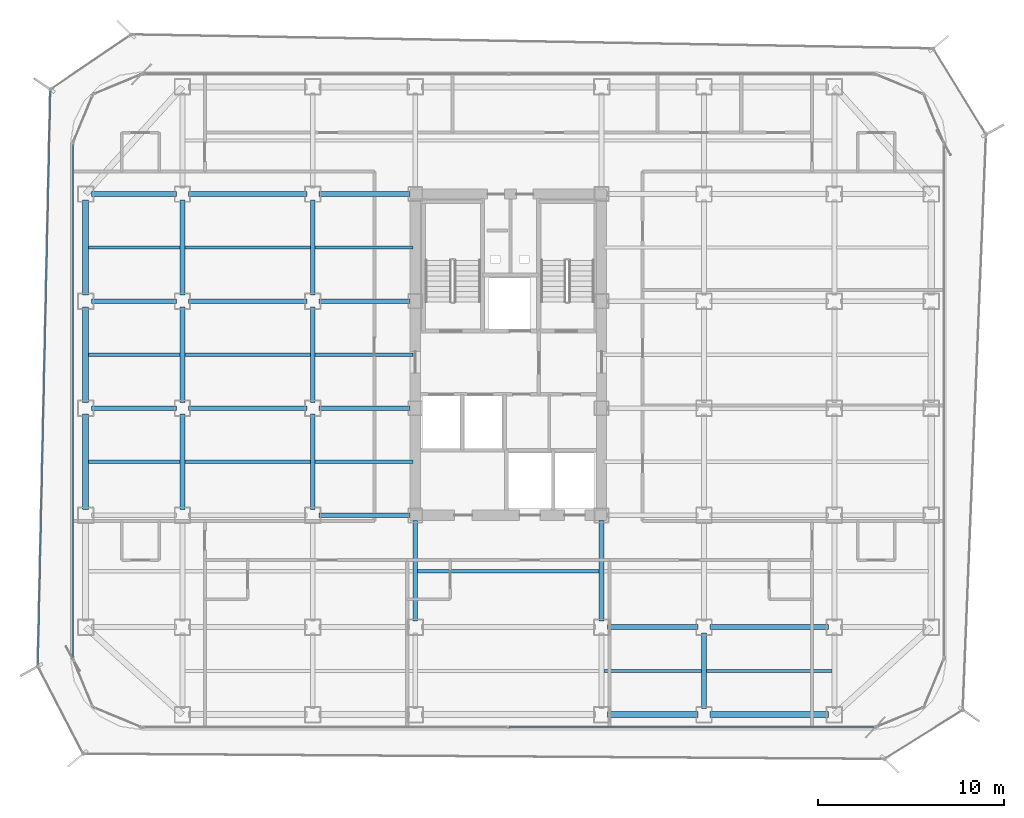
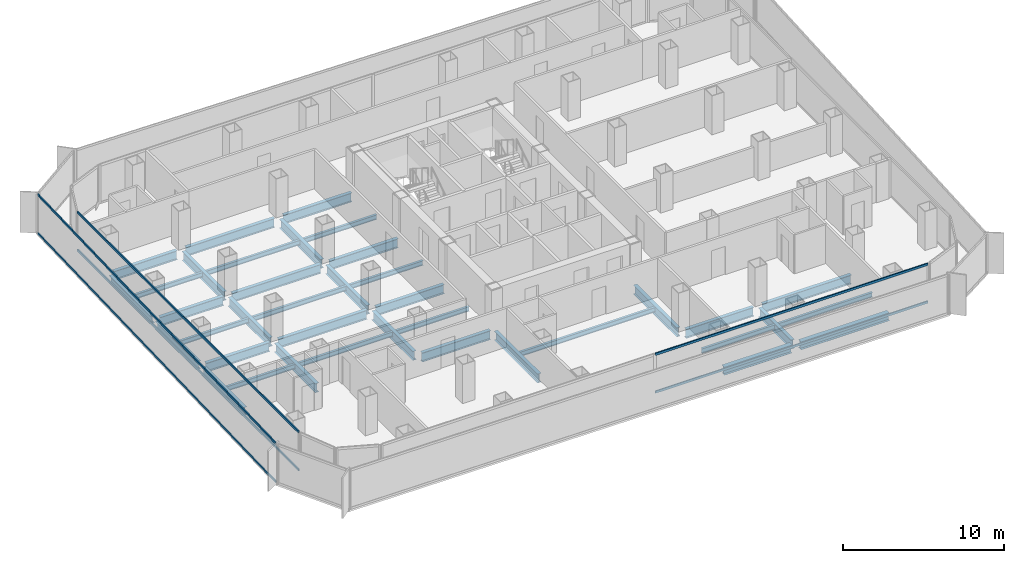
# One storey, part 5 of 21: 38 beams, 6 members, 3 elements without a shape of their own.
"""IFC4 building model written with IfcOpenShell, lengths in metres."""

from ifc_helpers import new_model, si_unit, direction, frame, origin, origin_2d, place, context, subcontext, project, spatial, hollow_rectangle, i_section, extrude, source, transform, mapped, material, layer, layer_set, material_profile, profile_set, type_object, element, aggregate, save


model = new_model("IFC4")

# Units and contexts
model_context = context("Model", 3, precision=1e-05, world=origin(), true_north=direction((0.0, 1.0)))
body_context = subcontext(model_context, "Body", "Model", "MODEL_VIEW")
ifc_project = project(units=[si_unit("LENGTHUNIT", "METRE"), si_unit("AREAUNIT", "SQUARE_METRE"), si_unit("VOLUMEUNIT", "CUBIC_METRE"), si_unit("PLANEANGLEUNIT", "RADIAN"), si_unit("MASSUNIT", "GRAM", prefix="KILO")], contexts=[model_context])

# Site, building, storey
site_placement = place(None, origin())
site = spatial("IfcSite", under=ifc_project, at=site_placement, CompositionType="ELEMENT")
building_placement = place(site_placement, origin())
building = spatial("IfcBuilding", under=site, at=building_placement, Name="Kolveth Station Tower", CompositionType="ELEMENT")
storey_placement = place(building_placement, frame((0.0, 0.0, 121.5)))
storey = spatial("IfcBuildingStorey", under=building, at=storey_placement, Name="L33", CompositionType="ELEMENT", Elevation=121.5)

# Beams
ifc_material_1 = material(Name="Steel S355", Category="steel")
ifc_material_profile_1 = material_profile(ifc_material_1, i_section(OverallWidth=0.323974609375, OverallDepth=0.611083984375, WebThickness=0.0126953125, FlangeThickness=0.01904296875, at=origin_2d()), Name="W610x155")
ifc_profile_set_1 = profile_set([ifc_material_profile_1], Name="Steel S355")
beam_type_1 = type_object("IfcBeamType", Name="Beam_SP2", PredefinedType="SPANDREL", material=ifc_profile_set_1)
shared_shape_1 = source(origin(), body_context, "Body", "SweptSolid", [
    extrude(i_section(OverallWidth=0.323974609375, OverallDepth=0.611083984375, WebThickness=0.0126953125, FlangeThickness=0.01904296875, at=origin_2d()), origin(), (0.0, 0.0, 1.0), 6.35986328125),
])
beam_1_placement = place(storey_placement, frame((34.320068359375, 0.800048828125, -0.555419921875), z_axis=(1.0, 0.0, 0.0), x_axis=(0.0, 1.0, 0.0)))
element("IfcBeam", 1, at=beam_1_placement, inside=storey, type_object=beam_type_1, Name="L33 Perimeter Spandrel BM-L33-PS-5", PredefinedType="SPANDREL", context=body_context, shape_type="MappedRepresentation", body=[
    mapped(shared_shape_1, transform((0.0, 0.0, 0.0), x_axis=(1.0, 0.0, 0.0), y_axis=(0.0, 1.0, 0.0), z_axis=(0.0, 0.0, 1.0), scale=1.0)),
])
shared_shape_2 = source(origin(), body_context, "Body", "SweptSolid", [
    extrude(i_section(OverallWidth=0.323974609375, OverallDepth=0.611083984375, WebThickness=0.0126953125, FlangeThickness=0.01904296875, at=origin_2d()), origin(), (0.0, 0.0, 1.0), 4.85986328125),
])
beam_2_placement = place(storey_placement, frame((28.820068359375, 0.800048828125, -0.555419921875), z_axis=(1.0, 0.0, 0.0), x_axis=(0.0, 1.0, 0.0)))
element("IfcBeam", 2, at=beam_2_placement, inside=storey, type_object=beam_type_1, Name="L33 Perimeter Spandrel BM-L33-PS-4", PredefinedType="SPANDREL", context=body_context, shape_type="MappedRepresentation", body=[
    mapped(shared_shape_2, transform((0.0, 0.0, 0.0), x_axis=(1.0, 0.0, 0.0), y_axis=(0.0, 1.0, 0.0), z_axis=(0.0, 0.0, 1.0), scale=1.0)),
])
shared_shape_3 = source(origin(), body_context, "Body", "SweptSolid", [
    extrude(i_section(OverallWidth=0.323974609375, OverallDepth=0.611083984375, WebThickness=0.0126953125, FlangeThickness=0.01904296875, at=origin_2d()), origin(), (0.0, 0.0, 1.0), 5.10986328125),
])
for number, where, z_axis, x_axis, name in (
    (3, (0.800048828125, 11.820068359375, -0.555419921875), (0.0, 1.0, 0.0), (-1.0, 0.0, 0.0), "L33 Perimeter Spandrel BM-L33-PW-2"),
    (4, (0.800048828125, 17.570068359375, -0.555419921875), (0.0, 1.0, 0.0), (-1.0, 0.0, 0.0), "L33 Perimeter Spandrel BM-L33-PW-3"),
    (5, (0.800048828125, 23.320068359375, -0.555419921875), (0.0, 1.0, 0.0), (-1.0, 0.0, 0.0), "L33 Perimeter Spandrel BM-L33-PW-4"),
):
    element("IfcBeam", number, at=place(storey_placement, frame(where, z_axis=z_axis, x_axis=x_axis)), inside=storey, type_object=beam_type_1, Name=name, PredefinedType="SPANDREL", context=body_context, shape_type="MappedRepresentation", body=[
        mapped(shared_shape_3, transform((0.0, 0.0, 0.0), x_axis=(1.0, 0.0, 0.0), y_axis=(0.0, 1.0, 0.0), z_axis=(0.0, 0.0, 1.0), scale=1.0)),
    ])
ifc_material_profile_2 = material_profile(ifc_material_1, i_section(OverallWidth=0.25390625, OverallDepth=0.68798828125, WebThickness=0.01318359375, FlangeThickness=0.02099609375, at=origin_2d()), Name="W690x152")
ifc_profile_set_2 = profile_set([ifc_material_profile_2], Name="Steel S355")
beam_type_2 = type_object("IfcBeamType", Name="Beam_B4", PredefinedType="BEAM", material=ifc_profile_set_2)
shared_shape_4 = source(origin(), body_context, "Body", "SweptSolid", [
    extrude(i_section(OverallWidth=0.25390625, OverallDepth=0.68798828125, WebThickness=0.01318359375, FlangeThickness=0.02099609375, at=origin_2d()), origin(), (0.0, 0.0, 1.0), 4.559814453125),
])
for number, where, z_axis, x_axis, name in (
    (6, (1.1201171875, 17.25, -0.593994140625), (1.0, 0.0, 0.0), (0.0, 1.0, 0.0), "L33 Primary Girder BM-L33-GY172-1"),
    (7, (1.1201171875, 23.0, -0.593994140625), (1.0, 0.0, 0.0), (0.0, 1.0, 0.0), "L33 Primary Girder BM-L33-GY230-1"),
    (8, (1.1201171875, 28.75, -0.593994140625), (1.0, 0.0, 0.0), (0.0, 1.0, 0.0), "L33 Primary Girder BM-L33-GY287-1"),
):
    element("IfcBeam", number, at=place(storey_placement, frame(where, z_axis=z_axis, x_axis=x_axis)), inside=storey, type_object=beam_type_2, Name=name, PredefinedType="BEAM", context=body_context, shape_type="MappedRepresentation", body=[
        mapped(shared_shape_4, transform((0.0, 0.0, 0.0), x_axis=(1.0, 0.0, 0.0), y_axis=(0.0, 1.0, 0.0), z_axis=(0.0, 0.0, 1.0), scale=1.0)),
    ])
shared_shape_5 = source(origin(), body_context, "Body", "SweptSolid", [
    extrude(i_section(OverallWidth=0.25390625, OverallDepth=0.68798828125, WebThickness=0.01318359375, FlangeThickness=0.02099609375, at=origin_2d()), origin(), (0.0, 0.0, 1.0), 6.35986328125),
])
for number, where, z_axis, x_axis, name in (
    (9, (34.320068359375, 5.5, -0.593994140625), (1.0, 0.0, 0.0), (0.0, 1.0, 0.0), "L33 Primary Girder BM-L33-GY55-6"),
    (10, (6.320068359375, 17.25, -0.593994140625), (1.0, 0.0, 0.0), (0.0, 1.0, 0.0), "L33 Primary Girder BM-L33-GY172-2"),
    (11, (6.320068359375, 23.0, -0.593994140625), (1.0, 0.0, 0.0), (0.0, 1.0, 0.0), "L33 Primary Girder BM-L33-GY230-2"),
    (12, (6.320068359375, 28.75, -0.593994140625), (1.0, 0.0, 0.0), (0.0, 1.0, 0.0), "L33 Primary Girder BM-L33-GY287-2"),
):
    element("IfcBeam", number, at=place(storey_placement, frame(where, z_axis=z_axis, x_axis=x_axis)), inside=storey, type_object=beam_type_2, Name=name, PredefinedType="BEAM", context=body_context, shape_type="MappedRepresentation", body=[
        mapped(shared_shape_5, transform((0.0, 0.0, 0.0), x_axis=(1.0, 0.0, 0.0), y_axis=(0.0, 1.0, 0.0), z_axis=(0.0, 0.0, 1.0), scale=1.0)),
    ])
shared_shape_6 = source(origin(), body_context, "Body", "SweptSolid", [
    extrude(i_section(OverallWidth=0.25390625, OverallDepth=0.68798828125, WebThickness=0.01318359375, FlangeThickness=0.02099609375, at=origin_2d()), origin(), (0.0, 0.0, 1.0), 4.85986328125),
])
beam_3_placement = place(storey_placement, frame((28.820068359375, 5.5, -0.593994140625), z_axis=(1.0, 0.0, 0.0), x_axis=(0.0, 1.0, 0.0)))
element("IfcBeam", 13, at=beam_3_placement, inside=storey, type_object=beam_type_2, Name="L33 Primary Girder BM-L33-GY55-5", PredefinedType="BEAM", context=body_context, shape_type="MappedRepresentation", body=[
    mapped(shared_shape_6, transform((0.0, 0.0, 0.0), x_axis=(1.0, 0.0, 0.0), y_axis=(0.0, 1.0, 0.0), z_axis=(0.0, 0.0, 1.0), scale=1.0)),
])
shared_shape_7 = source(origin(), body_context, "Body", "SweptSolid", [
    extrude(i_section(OverallWidth=0.25390625, OverallDepth=0.68798828125, WebThickness=0.01318359375, FlangeThickness=0.02099609375, at=origin_2d()), origin(), (0.0, 0.0, 1.0), 4.89990234375),
])
for number, where, z_axis, x_axis, name in (
    (14, (13.320068359375, 11.5, -0.593994140625), (1.0, 0.0, 0.0), (0.0, 1.0, 0.0), "L33 Primary Girder BM-L33-GY115-3"),
    (15, (13.320068359375, 17.25, -0.593994140625), (1.0, 0.0, 0.0), (0.0, 1.0, 0.0), "L33 Primary Girder BM-L33-GY172-3"),
    (16, (13.320068359375, 23.0, -0.593994140625), (1.0, 0.0, 0.0), (0.0, 1.0, 0.0), "L33 Primary Girder BM-L33-GY230-3"),
    (17, (13.320068359375, 28.75, -0.593994140625), (1.0, 0.0, 0.0), (0.0, 1.0, 0.0), "L33 Primary Girder BM-L33-GY287-3"),
):
    element("IfcBeam", number, at=place(storey_placement, frame(where, z_axis=z_axis, x_axis=x_axis)), inside=storey, type_object=beam_type_2, Name=name, PredefinedType="BEAM", context=body_context, shape_type="MappedRepresentation", body=[
        mapped(shared_shape_7, transform((0.0, 0.0, 0.0), x_axis=(1.0, 0.0, 0.0), y_axis=(0.0, 1.0, 0.0), z_axis=(0.0, 0.0, 1.0), scale=1.0)),
    ])
shared_shape_8 = source(origin(), body_context, "Body", "SweptSolid", [
    extrude(i_section(OverallWidth=0.25390625, OverallDepth=0.68798828125, WebThickness=0.01318359375, FlangeThickness=0.02099609375, at=origin_2d()), origin(), (0.0, 0.0, 1.0), 4.059814453125),
])
beam_4_placement = place(storey_placement, frame((34.0, 1.1201171875, -0.593994140625), z_axis=(0.0, 1.0, 0.0), x_axis=(-1.0, 0.0, 0.0)))
element("IfcBeam", 18, at=beam_4_placement, inside=storey, type_object=beam_type_2, Name="L33 Primary Girder BM-L33-GX340-1", PredefinedType="BEAM", context=body_context, shape_type="MappedRepresentation", body=[
    mapped(shared_shape_8, transform((0.0, 0.0, 0.0), x_axis=(1.0, 0.0, 0.0), y_axis=(0.0, 1.0, 0.0), z_axis=(0.0, 0.0, 1.0), scale=1.0)),
])
shared_shape_9 = source(origin(), body_context, "Body", "SweptSolid", [
    extrude(i_section(OverallWidth=0.25390625, OverallDepth=0.68798828125, WebThickness=0.01318359375, FlangeThickness=0.02099609375, at=origin_2d()), origin(), (0.0, 0.0, 1.0), 5.10986328125),
])
for number, where, z_axis, x_axis, name in (
    (19, (6.0, 11.820068359375, -0.593994140625), (0.0, 1.0, 0.0), (-1.0, 0.0, 0.0), "L33 Primary Girder BM-L33-GX60-3"),
    (20, (6.0, 17.570068359375, -0.593994140625), (0.0, 1.0, 0.0), (-1.0, 0.0, 0.0), "L33 Primary Girder BM-L33-GX60-4"),
    (21, (6.0, 23.320068359375, -0.593994140625), (0.0, 1.0, 0.0), (-1.0, 0.0, 0.0), "L33 Primary Girder BM-L33-GX60-5"),
    (22, (13.0, 11.820068359375, -0.593994140625), (0.0, 1.0, 0.0), (-1.0, 0.0, 0.0), "L33 Primary Girder BM-L33-GX130-3"),
    (23, (13.0, 17.570068359375, -0.593994140625), (0.0, 1.0, 0.0), (-1.0, 0.0, 0.0), "L33 Primary Girder BM-L33-GX130-4"),
    (24, (13.0, 23.320068359375, -0.593994140625), (0.0, 1.0, 0.0), (-1.0, 0.0, 0.0), "L33 Primary Girder BM-L33-GX130-5"),
):
    element("IfcBeam", number, at=place(storey_placement, frame(where, z_axis=z_axis, x_axis=x_axis)), inside=storey, type_object=beam_type_2, Name=name, PredefinedType="BEAM", context=body_context, shape_type="MappedRepresentation", body=[
        mapped(shared_shape_9, transform((0.0, 0.0, 0.0), x_axis=(1.0, 0.0, 0.0), y_axis=(0.0, 1.0, 0.0), z_axis=(0.0, 0.0, 1.0), scale=1.0)),
    ])
shared_shape_10 = source(origin(), body_context, "Body", "SweptSolid", [
    extrude(i_section(OverallWidth=0.25390625, OverallDepth=0.68798828125, WebThickness=0.01318359375, FlangeThickness=0.02099609375, at=origin_2d()), origin(), (0.0, 0.0, 1.0), 5.39990234375),
])
for number, where, z_axis, x_axis, name in (
    (25, (18.5, 5.820068359375, -0.593994140625), (0.0, 1.0, 0.0), (-1.0, 0.0, 0.0), "L33 Primary Girder BM-L33-GX185-2"),
    (26, (28.5, 5.820068359375, -0.593994140625), (0.0, 1.0, 0.0), (-1.0, 0.0, 0.0), "L33 Primary Girder BM-L33-GX285-2"),
):
    element("IfcBeam", number, at=place(storey_placement, frame(where, z_axis=z_axis, x_axis=x_axis)), inside=storey, type_object=beam_type_2, Name=name, PredefinedType="BEAM", context=body_context, shape_type="MappedRepresentation", body=[
        mapped(shared_shape_10, transform((0.0, 0.0, 0.0), x_axis=(1.0, 0.0, 0.0), y_axis=(0.0, 1.0, 0.0), z_axis=(0.0, 0.0, 1.0), scale=1.0)),
    ])
ifc_material_profile_3 = material_profile(ifc_material_1, i_section(OverallWidth=0.1708984375, OverallDepth=0.35205078125, WebThickness=0.0068359375, FlangeThickness=0.009765625, at=origin_2d()), Name="W360x44")
ifc_profile_set_3 = profile_set([ifc_material_profile_3], Name="Steel S355")
beam_type_3 = type_object("IfcBeamType", Name="Beam_J2", PredefinedType="JOIST", material=ifc_profile_set_3)
shared_shape_11 = source(origin(), body_context, "Body", "SweptSolid", [
    extrude(i_section(OverallWidth=0.1708984375, OverallDepth=0.35205078125, WebThickness=0.0068359375, FlangeThickness=0.009765625, at=origin_2d()), origin(), (0.0, 0.0, 1.0), 4.9150390625),
])
for number, where, z_axis, x_axis, name in (
    (27, (0.9599609375, 14.375, -0.426025390625), (1.0, 0.0, 0.0), (0.0, 1.0, 0.0), "L33 Secondary Joist JST-L33-1-3"),
    (28, (0.9599609375, 20.125, -0.426025390625), (1.0, 0.0, 0.0), (0.0, 1.0, 0.0), "L33 Secondary Joist JST-L33-1-4"),
    (29, (0.9599609375, 25.875, -0.426025390625), (1.0, 0.0, 0.0), (0.0, 1.0, 0.0), "L33 Secondary Joist JST-L33-1-5"),
):
    element("IfcBeam", number, at=place(storey_placement, frame(where, z_axis=z_axis, x_axis=x_axis)), inside=storey, type_object=beam_type_3, Name=name, PredefinedType="JOIST", context=body_context, shape_type="MappedRepresentation", body=[
        mapped(shared_shape_11, transform((0.0, 0.0, 0.0), x_axis=(1.0, 0.0, 0.0), y_axis=(0.0, 1.0, 0.0), z_axis=(0.0, 0.0, 1.0), scale=1.0)),
    ])
shared_shape_12 = source(origin(), body_context, "Body", "SweptSolid", [
    extrude(i_section(OverallWidth=0.1708984375, OverallDepth=0.35205078125, WebThickness=0.0068359375, FlangeThickness=0.009765625, at=origin_2d()), origin(), (0.0, 0.0, 1.0), 6.75),
])
for number, where, z_axis, x_axis, name in (
    (30, (6.125, 14.375, -0.426025390625), (1.0, 0.0, 0.0), (0.0, 1.0, 0.0), "L33 Secondary Joist JST-L33-2-3"),
    (31, (6.125, 20.125, -0.426025390625), (1.0, 0.0, 0.0), (0.0, 1.0, 0.0), "L33 Secondary Joist JST-L33-2-4"),
    (32, (6.125, 25.875, -0.426025390625), (1.0, 0.0, 0.0), (0.0, 1.0, 0.0), "L33 Secondary Joist JST-L33-2-5"),
    (33, (34.125, 3.14990234375, -0.426025390625), (1.0, 0.0, 0.0), (0.0, 1.0, 0.0), "L33 Secondary Joist JST-L33-6-1"),
):
    element("IfcBeam", number, at=place(storey_placement, frame(where, z_axis=z_axis, x_axis=x_axis)), inside=storey, type_object=beam_type_3, Name=name, PredefinedType="JOIST", context=body_context, shape_type="MappedRepresentation", body=[
        mapped(shared_shape_12, transform((0.0, 0.0, 0.0), x_axis=(1.0, 0.0, 0.0), y_axis=(0.0, 1.0, 0.0), z_axis=(0.0, 0.0, 1.0), scale=1.0)),
    ])
shared_shape_13 = source(origin(), body_context, "Body", "SweptSolid", [
    extrude(i_section(OverallWidth=0.1708984375, OverallDepth=0.35205078125, WebThickness=0.0068359375, FlangeThickness=0.009765625, at=origin_2d()), origin(), (0.0, 0.0, 1.0), 5.25),
])
for number, where, z_axis, x_axis, name in (
    (34, (13.125, 14.375, -0.426025390625), (1.0, 0.0, 0.0), (0.0, 1.0, 0.0), "L33 Secondary Joist JST-L33-3-3"),
    (35, (13.125, 20.125, -0.426025390625), (1.0, 0.0, 0.0), (0.0, 1.0, 0.0), "L33 Secondary Joist JST-L33-3-4"),
    (36, (13.125, 25.875, -0.426025390625), (1.0, 0.0, 0.0), (0.0, 1.0, 0.0), "L33 Secondary Joist JST-L33-3-5"),
    (37, (28.625, 3.14990234375, -0.426025390625), (1.0, 0.0, 0.0), (0.0, 1.0, 0.0), "L33 Secondary Joist JST-L33-5-1"),
):
    element("IfcBeam", number, at=place(storey_placement, frame(where, z_axis=z_axis, x_axis=x_axis)), inside=storey, type_object=beam_type_3, Name=name, PredefinedType="JOIST", context=body_context, shape_type="MappedRepresentation", body=[
        mapped(shared_shape_13, transform((0.0, 0.0, 0.0), x_axis=(1.0, 0.0, 0.0), y_axis=(0.0, 1.0, 0.0), z_axis=(0.0, 0.0, 1.0), scale=1.0)),
    ])
shared_shape_14 = source(origin(), body_context, "Body", "SweptSolid", [
    extrude(i_section(OverallWidth=0.1708984375, OverallDepth=0.35205078125, WebThickness=0.0068359375, FlangeThickness=0.009765625, at=origin_2d()), origin(), (0.0, 0.0, 1.0), 9.75),
])
beam_5_placement = place(storey_placement, frame((18.625, 8.5, -0.426025390625), z_axis=(1.0, 0.0, 0.0), x_axis=(0.0, 1.0, 0.0)))
element("IfcBeam", 38, at=beam_5_placement, inside=storey, type_object=beam_type_3, Name="L33 Secondary Joist JST-L33-4-2", PredefinedType="JOIST", context=body_context, shape_type="MappedRepresentation", body=[
    mapped(shared_shape_14, transform((0.0, 0.0, 0.0), x_axis=(1.0, 0.0, 0.0), y_axis=(0.0, 1.0, 0.0), z_axis=(0.0, 0.0, 1.0), scale=1.0)),
])

# Curtain wall, members
ifc_material_2 = material(Name="Aluminium 6063-T6 and low-E dark glass", Category="aluminium")
ifc_layer_1 = layer(ifc_material_2, 0.18994140625)
ifc_layer_set_1 = layer_set([ifc_layer_1], Name="Aluminium 6063-T6 and low-E dark glass")
curtain_wall_type_1 = type_object("IfcCurtainWallType", Name="CurtainWall_CW-Z2", PredefinedType="NOTDEFINED", material=ifc_layer_set_1)
curtain_wall_1_placement = place(storey_placement, origin())
curtain_wall_1 = element("IfcCurtainWall", 39, at=curtain_wall_1_placement, inside=storey, type_object=curtain_wall_type_1, Name="L33 Inner Thermal Curtain Wall 9", PredefinedType="NOTDEFINED")
ifc_material_3 = material(Name="Black anodized aluminium 6063-T6", Category="aluminium")
ifc_material_profile_4 = material_profile(ifc_material_3, hollow_rectangle(XDim=0.080078125, YDim=0.169921875, WallThickness=0.0048828125, at=origin_2d()), Name="ALU-80x170x5")
ifc_profile_set_4 = profile_set([ifc_material_profile_4], Name="Black anodized aluminium 6063-T6")
member_type_1 = type_object("IfcMemberType", Name="Transom_TR2", PredefinedType="USERDEFINED", material=ifc_profile_set_4)
shared_shape_15 = source(origin(), body_context, "Body", "SweptSolid", [
    extrude(hollow_rectangle(XDim=0.080078125, YDim=0.169921875, WallThickness=0.0048828125, at=origin_2d()), origin(), (0.0, 0.0, 1.0), 27.5400390625),
])
member_1_placement = place(storey_placement, frame((0.1201171875, 31.419921875, 0.0400390625), z_axis=(0.0, -1.0, 0.0), x_axis=(1.0, 0.0, 0.0)))
member_1 = element("IfcMember", 40, at=member_1_placement, type_object=member_type_1, Name="CW-Z2 transom 1.1", ObjectType="TRANSOM", PredefinedType="USERDEFINED", context=body_context, shape_type="MappedRepresentation", body=[
    mapped(shared_shape_15, transform((0.0, 0.0, 0.0), x_axis=(1.0, 0.0, 0.0), y_axis=(0.0, 1.0, 0.0), z_axis=(0.0, 0.0, 1.0), scale=1.0)),
])
member_2_placement = place(storey_placement, frame((0.1201171875, 31.419921875, 2.909912109375), z_axis=(0.0, -1.0, 0.0), x_axis=(1.0, 0.0, 0.0)))
member_2 = element("IfcMember", 41, at=member_2_placement, type_object=member_type_1, Name="CW-Z2 transom 1.2", ObjectType="TRANSOM", PredefinedType="USERDEFINED", context=body_context, shape_type="MappedRepresentation", body=[
    mapped(shared_shape_15, transform((0.0, 0.0, 0.0), x_axis=(1.0, 0.0, 0.0), y_axis=(0.0, 1.0, 0.0), z_axis=(0.0, 0.0, 1.0), scale=1.0)),
])
aggregate(curtain_wall_1, [member_1, member_2])

curtain_wall_2_placement = place(storey_placement, origin())
curtain_wall_2 = element("IfcCurtainWall", 42, at=curtain_wall_2_placement, inside=storey, type_object=curtain_wall_type_1, Name="L33 Inner Thermal Curtain Wall 12", PredefinedType="NOTDEFINED")
shared_shape_16 = source(origin(), body_context, "Body", "SweptSolid", [
    extrude(hollow_rectangle(XDim=0.080078125, YDim=0.169921875, WallThickness=0.0048828125, at=origin_2d()), origin(), (0.0, 0.0, 1.0), 19.580078125),
])
member_3_placement = place(storey_placement, frame((23.5400390625, 0.1201171875, 0.0400390625), z_axis=(1.0, 0.0, 0.0), x_axis=(0.0, 1.0, 0.0)))
member_3 = element("IfcMember", 43, at=member_3_placement, type_object=member_type_1, Name="CW-Z2 transom 2.1", ObjectType="TRANSOM", PredefinedType="USERDEFINED", context=body_context, shape_type="MappedRepresentation", body=[
    mapped(shared_shape_16, transform((0.0, 0.0, 0.0), x_axis=(1.0, 0.0, 0.0), y_axis=(0.0, 1.0, 0.0), z_axis=(0.0, 0.0, 1.0), scale=1.0)),
])
member_4_placement = place(storey_placement, frame((23.5400390625, 0.1201171875, 2.909912109375), z_axis=(1.0, 0.0, 0.0), x_axis=(0.0, 1.0, 0.0)))
member_4 = element("IfcMember", 44, at=member_4_placement, type_object=member_type_1, Name="CW-Z2 transom 2.2", ObjectType="TRANSOM", PredefinedType="USERDEFINED", context=body_context, shape_type="MappedRepresentation", body=[
    mapped(shared_shape_16, transform((0.0, 0.0, 0.0), x_axis=(1.0, 0.0, 0.0), y_axis=(0.0, 1.0, 0.0), z_axis=(0.0, 0.0, 1.0), scale=1.0)),
])
aggregate(curtain_wall_2, [member_3, member_4])

ifc_material_4 = material(Name="Black anodized aluminium 6063-T6 and dark solar glass", Category="aluminium")
ifc_layer_2 = layer(ifc_material_4, 0.159912109375)
ifc_layer_set_2 = layer_set([ifc_layer_2], Name="Black anodized aluminium 6063-T6 and dark solar glass")
curtain_wall_type_2 = type_object("IfcCurtainWallType", Name="OUTER SKIN CW-OS", PredefinedType="NOTDEFINED", material=ifc_layer_set_2)
curtain_wall_3_placement = place(storey_placement, origin())
curtain_wall_3 = element("IfcCurtainWall", 45, at=curtain_wall_3_placement, inside=storey, type_object=curtain_wall_type_2, Name="L33 Outer Ventilated Skin Curtain Wall 6", PredefinedType="NOTDEFINED")
ifc_material_profile_5 = material_profile(ifc_material_3, hollow_rectangle(XDim=0.080078125, YDim=0.14990234375, WallThickness=0.0048828125, at=origin_2d()), Name="ALU-80x150x5")
ifc_profile_set_5 = profile_set([ifc_material_profile_5], Name="Black anodized aluminium 6063-T6")
member_type_2 = type_object("IfcMemberType", Name="Transom_TR-OS", PredefinedType="USERDEFINED", material=ifc_profile_set_5)
shared_shape_17 = source(origin(), body_context, "Body", "SweptSolid", [
    extrude(hollow_rectangle(XDim=0.080078125, YDim=0.14990234375, WallThickness=0.0048828125, at=origin_2d()), origin(), (0.0, 0.0, 1.0), 30.79052734375),
])
member_5_placement = place(storey_placement, frame((-1.092529296875, 34.271484375, 0.0400390625), z_axis=(-0.021757426861, -0.99976327917, 0.0), x_axis=(0.99976327917, -0.021757426861, 0.0)))
member_5 = element("IfcMember", 46, at=member_5_placement, type_object=member_type_2, Name="CW-OS transom 1.1", ObjectType="TRANSOM", PredefinedType="USERDEFINED", context=body_context, shape_type="MappedRepresentation", body=[
    mapped(shared_shape_17, transform((0.0, 0.0, 0.0), x_axis=(1.0, 0.0, 0.0), y_axis=(0.0, 1.0, 0.0), z_axis=(0.0, 0.0, 1.0), scale=1.0)),
])
member_6_placement = place(storey_placement, frame((-1.092529296875, 34.271484375, 2.949951171875), z_axis=(-0.021757426861, -0.99976327917, 0.0), x_axis=(0.99976327917, -0.021757426861, 0.0)))
member_6 = element("IfcMember", 47, at=member_6_placement, type_object=member_type_2, Name="CW-OS transom 1.2", ObjectType="TRANSOM", PredefinedType="USERDEFINED", context=body_context, shape_type="MappedRepresentation", body=[
    mapped(shared_shape_17, transform((0.0, 0.0, 0.0), x_axis=(1.0, 0.0, 0.0), y_axis=(0.0, 1.0, 0.0), z_axis=(0.0, 0.0, 1.0), scale=1.0)),
])
aggregate(curtain_wall_3, [member_5, member_6])

save(model, "model.ifc")
